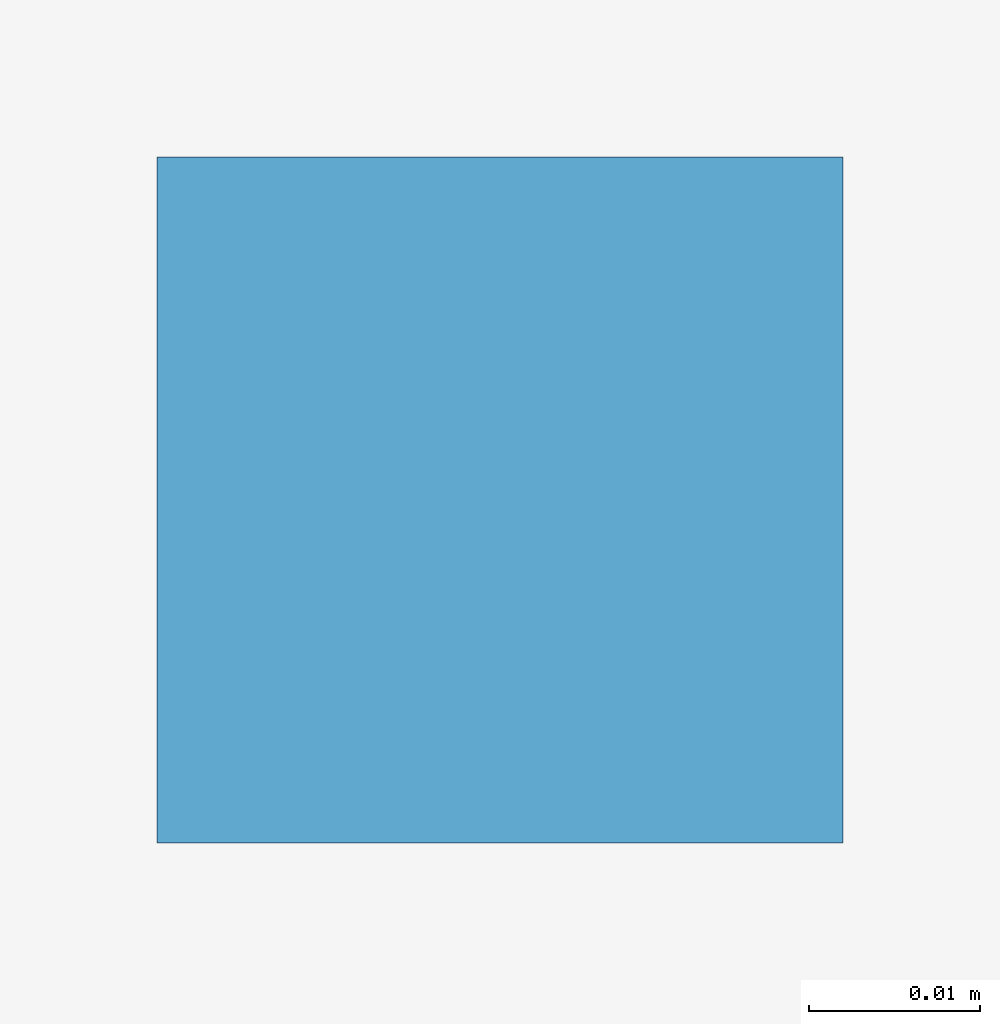
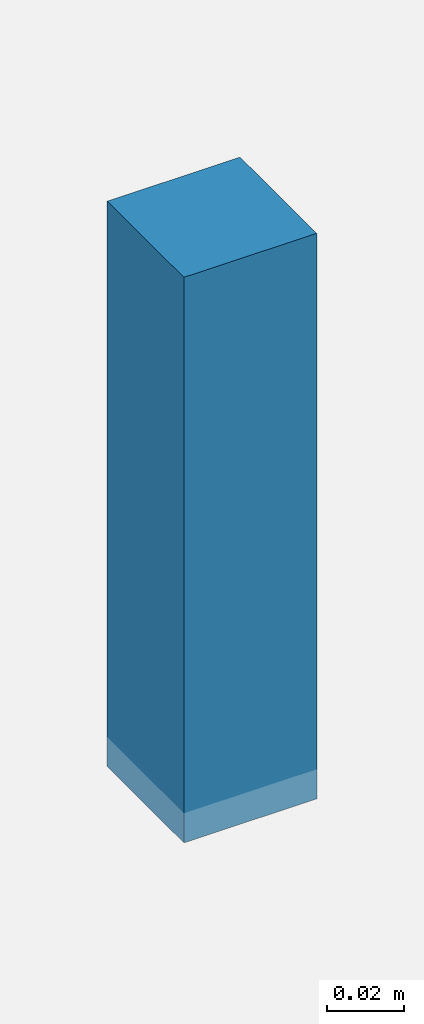
# One storey, part 74 of 99: 1 discrete accessory.
"""IFC4 building model written with IfcOpenShell, lengths in metres."""

from ifc_helpers import new_model, si_unit, direction, frame, origin, origin_2d, place, context, subcontext, project, spatial, rectangle, extrude, material, type_object, element, save


model = new_model("IFC4")

# Units and contexts
model_context = context("Model", 3, precision=1e-05, world=origin(), true_north=direction((0.0, 1.0)))
body_context = subcontext(model_context, "Body", "Model", "MODEL_VIEW")
ifc_project = project(units=[si_unit("LENGTHUNIT", "METRE"), si_unit("AREAUNIT", "SQUARE_METRE"), si_unit("VOLUMEUNIT", "CUBIC_METRE"), si_unit("PLANEANGLEUNIT", "RADIAN"), si_unit("MASSUNIT", "GRAM", prefix="KILO")], contexts=[model_context])

# Site, building, storey
site_placement = place(None, origin())
site = spatial("IfcSite", under=ifc_project, at=site_placement, CompositionType="ELEMENT")
building_placement = place(site_placement, origin())
building = spatial("IfcBuilding", under=site, at=building_placement, Name="Alvorim Cloister Faculty of Sciences", CompositionType="ELEMENT")
storey_placement = place(building_placement, frame((0.0, 0.0, 12.14990234375)))
storey = spatial("IfcBuildingStorey", under=building, at=storey_placement, Name="L03", CompositionType="ELEMENT", Elevation=12.14990234375)

# Discrete accessory
ifc_material = material(Name="Galvanised Painted Steel", Category="steel")
discrete_accessory_type = type_object("IfcDiscreteAccessoryType", Name="ACC-CEIL-ROD", PredefinedType="BRACKET", material=ifc_material)
discrete_accessory_placement = place(storey_placement, frame((80.25, 23.050048828125, 3.22998046875), z_axis=(0.0, 0.0, 1.0), x_axis=(1.0, 0.0, 0.0)))
element("IfcDiscreteAccessory", 1, at=discrete_accessory_placement, inside=storey, type_object=discrete_accessory_type, Name="Ceiling Suspension Bracket ACC-ROD-027", PredefinedType="BRACKET", context=body_context, shape_type="SweptSolid", body=[
    extrude(rectangle(XDim=0.0400390625, YDim=0.0400390625, at=origin_2d()), origin(), (0.0, 0.0, 1.0), 0.18017578125),
])

save(model, "model.ifc")
